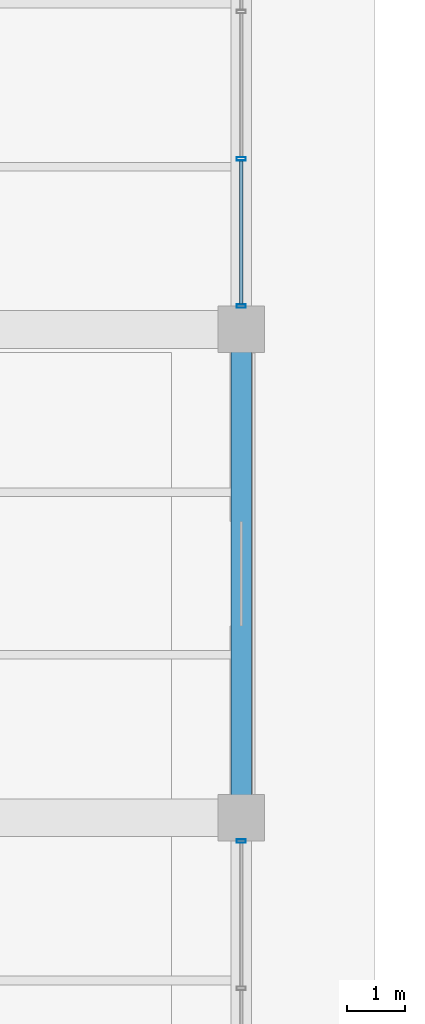
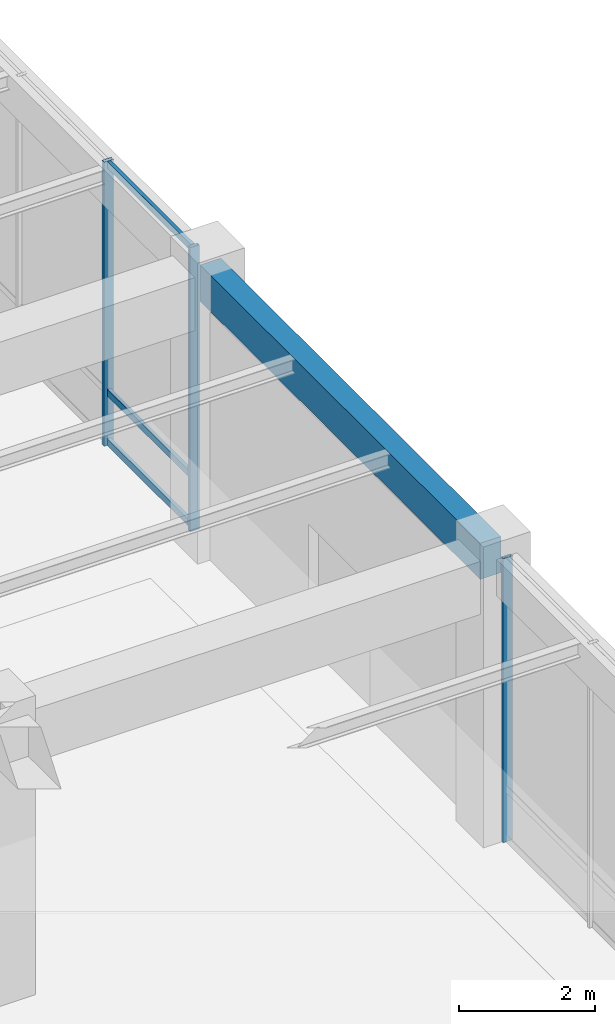
# One storey, part 89 of 157: 6 members, 1 beam, 2 elements without a shape of their own.
"""IFC4 building model written with IfcOpenShell, lengths in metres."""

import ifcopenshell
import ifcopenshell.guid

model = None  # the IFC model being written
_history = None  # IfcOwnerHistory: only IFC2X3 demands one
_inside = {}  # id of a spatial element -> (the spatial element, [elements in it])
_under = {}  # id of a project, library or spatial element -> (it, [spatial elements below it])
_declared = {}  # id of a project -> (the project, [libraries it declares])
_typed = {}  # id of a type object -> (the type object, [elements of that type])
_made_of = {}  # id of a material, layer set ... -> (it, [elements and type objects made of it])


def new_model(schema):
    """Start an empty IFC model of exactly this schema.

    Asked for "IFC4X3", IfcOpenShell would pick the latest addendum, in which some entities
    have other attributes; the version numbers below select the first issue.
    IFC2X3 requires an IfcOwnerHistory on every rooted entity: one is made here for all.
    """
    global model, _history
    if schema == "IFC4X3":
        model = ifcopenshell.file(schema_version=(4, 3, 0, 0))
    else:
        model = ifcopenshell.file(schema=schema)
    _inside.clear()
    _under.clear()
    _declared.clear()
    _typed.clear()
    _made_of.clear()
    _history = None
    if model.schema == "IFC2X3":
        org = make("IfcOrganization", Name="unknown")
        user = make(
            "IfcPersonAndOrganization",
            ThePerson=make("IfcPerson", FamilyName="unknown"),
            TheOrganization=org,
        )
        app = make(
            "IfcApplication",
            ApplicationDeveloper=org,
            Version="unknown",
            ApplicationFullName="unknown",
            ApplicationIdentifier="unknown",
        )
        _history = make(
            "IfcOwnerHistory",
            OwningUser=user,
            OwningApplication=app,
            ChangeAction="ADDED",
            CreationDate=0,
        )
    return model


def make(cls, **values):
    """One entity of the class cls with the attributes given. An attribute that is None is left unset."""
    return model.create_entity(
        cls, **{name: value for name, value in values.items() if value is not None}
    )


def rooted(cls, **values):
    """An entity with a GlobalId (a new one), such as an element, a storey or a relation."""
    return make(cls, GlobalId=ifcopenshell.guid.new(), OwnerHistory=_history, **values)


def si_unit(unit_type, name, prefix=None):
    """IfcSIUnit, for example si_unit("LENGTHUNIT", "METRE", prefix="MILLI")."""
    return make("IfcSIUnit", UnitType=unit_type, Prefix=prefix, Name=name)


def assignment(units):
    """IfcUnitAssignment: the units of a project."""
    return None if units is None else make("IfcUnitAssignment", Units=units)


def point(xyz):
    """IfcCartesianPoint."""
    return None if xyz is None else make("IfcCartesianPoint", Coordinates=xyz)


def direction(xyz):
    """IfcDirection."""
    return None if xyz is None else make("IfcDirection", DirectionRatios=xyz)


def frame(location, z_axis=None, x_axis=None):
    """IfcAxis2Placement3D, a coordinate frame: its origin and axes. An axis left out is left unset."""
    return make(
        "IfcAxis2Placement3D",
        Location=point(location),
        Axis=direction(z_axis),
        RefDirection=direction(x_axis),
    )


def frame_2d(location, x_axis=None):
    """IfcAxis2Placement2D, a coordinate frame in the plane: its origin and x axis."""
    return make(
        "IfcAxis2Placement2D", Location=point(location), RefDirection=direction(x_axis)
    )


def origin():
    """The frame at (0, 0, 0) with its axes left unset."""
    return frame((0.0, 0.0, 0.0))


def origin_2d():
    """The frame at (0, 0) in the plane with its x axis left unset."""
    return frame_2d((0.0, 0.0))


def place(relative_to, where):
    """IfcLocalPlacement: puts the frame where relative to a parent placement (None: the world)."""
    return make(
        "IfcLocalPlacement", PlacementRelTo=relative_to, RelativePlacement=where
    )


def context(
    kind, dimensions, precision=None, world=None, true_north=None, identifier=None
):
    """IfcGeometricRepresentationContext, for example the 3D "Model" context."""
    return make(
        "IfcGeometricRepresentationContext",
        ContextIdentifier=identifier,
        ContextType=kind,
        CoordinateSpaceDimension=dimensions,
        Precision=precision,
        WorldCoordinateSystem=world,
        TrueNorth=true_north,
    )


def subcontext(parent, identifier, kind, view, scale=None):
    """IfcGeometricRepresentationSubContext, for example "Body" below "Model"."""
    return make(
        "IfcGeometricRepresentationSubContext",
        ContextIdentifier=identifier,
        ContextType=kind,
        ParentContext=parent,
        TargetScale=scale,
        TargetView=view,
    )


def project(units=None, contexts=None):
    """IfcProject with its units and contexts."""
    return rooted(
        "IfcProject",
        Name="project",
        RepresentationContexts=contexts,
        UnitsInContext=assignment(units),
    )


def spatial(cls, under=None, at=None, **own):
    """A site, building, storey or space (cls), placed at a placement, below another one or the project."""
    s = rooted(cls, ObjectPlacement=at, **own)
    if under is not None:
        _under.setdefault(under.id(), (under, []))[1].append(s)
    return s


def profile(cls, at=None, kind="AREA", **sizes):
    """A parametric profile (cls). Its sizes go by their IFC names, for example OverallWidth=200.0."""
    return make(cls, ProfileType=kind, Position=at, **sizes)


def rectangle(**sizes):
    """IfcRectangleProfileDef."""
    return profile("IfcRectangleProfileDef", **sizes)


def hollow_rectangle(**sizes):
    """IfcRectangleHollowProfileDef."""
    return profile("IfcRectangleHollowProfileDef", **sizes)


def extrude(swept, where, along, depth):
    """IfcExtrudedAreaSolid: the profile swept, set in the frame where, extruded along a direction by depth."""
    return make(
        "IfcExtrudedAreaSolid",
        SweptArea=swept,
        Position=where,
        ExtrudedDirection=direction(along),
        Depth=depth,
    )


def shape(context_of_items, identifier, shape_type, items):
    """IfcShapeRepresentation: the items that make up one representation, for example the "Body"."""
    return make(
        "IfcShapeRepresentation",
        ContextOfItems=context_of_items,
        RepresentationIdentifier=identifier,
        RepresentationType=shape_type,
        Items=items,
    )


def material(Name=None, Category=None):
    """IfcMaterial."""
    return make("IfcMaterial", Name=Name, Category=Category)


def material_profile(
    of_material, cross_section, Name=None, Category=None, Priority=None
):
    """IfcMaterialProfile: a cross section and its material."""
    return make(
        "IfcMaterialProfile",
        Name=Name,
        Material=of_material,
        Profile=cross_section,
        Priority=Priority,
        Category=Category,
    )


def profile_set(profiles, Name=None, composite=None):
    """IfcMaterialProfileSet."""
    return make(
        "IfcMaterialProfileSet",
        Name=Name,
        MaterialProfiles=profiles,
        CompositeProfile=composite,
    )


def made_of(thing, what):
    """Note that an element or type object is made of a material, layer set ...; save() writes the relation."""
    if what is not None:
        _made_of.setdefault(what.id(), (what, []))[1].append(thing)
    return thing


def type_object(cls, material=None, **own):
    """A type object (cls), such as IfcWallType, which elements share."""
    return made_of(rooted(cls, **own), material)


def element(
    cls,
    number,
    at=None,
    inside=None,
    cuts=None,
    type_object=None,
    material=None,
    context=None,
    identifier="Body",
    shape_type=None,
    held_by="IfcProductDefinitionShape",
    body=None,
    shapes=None,
    **own,
):
    """One element of the class cls, such as IfcWall. Its Tag is "e" and its number.

    at: its placement. inside: the storey or other place that contains it. cuts: it is an
    opening in that element (IfcRelVoidsElement). A single representation is given by context,
    identifier, shape_type and body (its items); several are given by shapes. held_by: the class
    of the entity that holds the representations. save() writes the other relations.
    """
    e = rooted(cls, Tag="e%d" % number, ObjectPlacement=at, **own)
    if body is not None:
        shapes = [shape(context, identifier, shape_type, body)]
    if shapes is not None:
        e.Representation = make(held_by, Representations=shapes)
    if inside is not None:
        _inside.setdefault(inside.id(), (inside, []))[1].append(e)
    if cuts is not None:
        rooted(
            "IfcRelVoidsElement", RelatingBuildingElement=cuts, RelatedOpeningElement=e
        )
    if type_object is not None:
        _typed.setdefault(type_object.id(), (type_object, []))[1].append(e)
    return made_of(e, material)


def aggregate(whole, parts):
    """IfcRelAggregates: a whole, such as a stair, and the parts it consists of."""
    return rooted("IfcRelAggregates", RelatingObject=whole, RelatedObjects=parts)


def save(model, path):
    """Write the relations noted so far, then the file.

    IfcRelAggregates (storeys below a building ...), IfcRelContainedInSpatialStructure (elements
    in a storey), IfcRelDefinesByType, IfcRelAssociatesMaterial and IfcRelDeclares: one each for
    every whole, place, type object, material and project.
    """
    for whole, parts in _under.values():
        aggregate(whole, parts)
    for where, things in _inside.values():
        rooted(
            "IfcRelContainedInSpatialStructure",
            RelatedElements=things,
            RelatingStructure=where,
        )
    for kind, things in _typed.values():
        rooted("IfcRelDefinesByType", RelatedObjects=things, RelatingType=kind)
    for what, things in _made_of.values():
        rooted("IfcRelAssociatesMaterial", RelatedObjects=things, RelatingMaterial=what)
    for by, libraries in _declared.values():
        rooted("IfcRelDeclares", RelatingContext=by, RelatedDefinitions=libraries)
    model.write(path)


model = new_model("IFC4")

# Units and contexts
model_context = context("Model", 3, precision=1e-05, world=origin(), true_north=direction((0.0, 1.0)))
body_context = subcontext(model_context, "Body", "Model", "MODEL_VIEW")
ifc_project = project(units=[si_unit("LENGTHUNIT", "METRE"), si_unit("AREAUNIT", "SQUARE_METRE"), si_unit("VOLUMEUNIT", "CUBIC_METRE"), si_unit("PLANEANGLEUNIT", "RADIAN"), si_unit("MASSUNIT", "GRAM", prefix="KILO"), si_unit("THERMODYNAMICTEMPERATUREUNIT", "KELVIN"), si_unit("POWERUNIT", "WATT")], contexts=[model_context])

# Site, building, storey
site_placement = place(None, origin())
site = spatial("IfcSite", under=ifc_project, at=site_placement, CompositionType="ELEMENT")
building_placement = place(site_placement, origin())
building = spatial("IfcBuilding", under=site, at=building_placement, Name="Darbajah Civic Hall", CompositionType="ELEMENT")
storey_placement = place(building_placement, origin())
storey = spatial("IfcBuildingStorey", under=building, at=storey_placement, Name="L00", CompositionType="ELEMENT", Elevation=0.0)

# Curtain wall, member
ifc_material_1 = material(Name="Anodised Bronze Aluminium and Low-E Glazing", Category="aluminium")
curtain_wall_type = type_object("IfcCurtainWallType", Name="Unitised Curtain Wall CW-17 7600x5100", PredefinedType="USERDEFINED", material=ifc_material_1)
curtain_wall_1_placement = place(storey_placement, origin())
curtain_wall_1 = element("IfcCurtainWall", 1, at=curtain_wall_1_placement, inside=storey, type_object=curtain_wall_type, Name="L00 unitised curtain wall CW-V3-L00-S1-B1", ObjectType="UNITISED CURTAIN WALL", PredefinedType="USERDEFINED")
ifc_material_2 = material(Name="Anodised Bronze Aluminium", Category="aluminium")
ifc_material_profile_1 = material_profile(ifc_material_2, hollow_rectangle(XDim=0.06005859375, YDim=0.159912109375, WallThickness=0.00341796875, at=origin_2d()), Name="ALU MULLION 60x160")
ifc_profile_set_1 = profile_set([ifc_material_profile_1], Name="Anodised Bronze Aluminium")
member_type_1 = type_object("IfcMemberType", Name="ALU MULLION 60x160", PredefinedType="MULLION", material=ifc_profile_set_1)
member_1_placement = place(storey_placement, frame((178.199951171875, 16.39794921875, 0.0), z_axis=(0.0, 0.0, 1.0), x_axis=(0.0, 1.0, 0.0)))
member_1 = element("IfcMember", 2, at=member_1_placement, type_object=member_type_1, Name="CW-V3-L00-S1-B1 mullion 4", PredefinedType="MULLION", context=body_context, shape_type="SweptSolid", body=[
    extrude(hollow_rectangle(XDim=0.06005859375, YDim=0.159912109375, WallThickness=0.00341796875, at=origin_2d()), origin(), (0.0, 0.0, 1.0), 5.10009765625),
])
aggregate(curtain_wall_1, [member_1])

# Curtain wall, members
curtain_wall_2_placement = place(storey_placement, origin())
curtain_wall_2 = element("IfcCurtainWall", 3, at=curtain_wall_2_placement, inside=storey, type_object=curtain_wall_type, Name="L00 unitised curtain wall CW-V3-L00-S1-B3", ObjectType="UNITISED CURTAIN WALL", PredefinedType="USERDEFINED")
member_2_placement = place(storey_placement, frame((178.199951171875, 25.60205078125, 0.0), z_axis=(0.0, 0.0, 1.0), x_axis=(0.0, 1.0, 0.0)))
member_2 = element("IfcMember", 4, at=member_2_placement, type_object=member_type_1, Name="CW-V3-L00-S1-B3 mullion 1", PredefinedType="MULLION", context=body_context, shape_type="SweptSolid", body=[
    extrude(hollow_rectangle(XDim=0.06005859375, YDim=0.159912109375, WallThickness=0.00341796875, at=origin_2d()), origin(), (0.0, 0.0, 1.0), 5.10009765625),
])
member_3_placement = place(storey_placement, frame((178.199951171875, 28.134033203125, 0.0), z_axis=(0.0, 0.0, 1.0), x_axis=(0.0, 1.0, 0.0)))
member_3 = element("IfcMember", 5, at=member_3_placement, type_object=member_type_1, Name="CW-V3-L00-S1-B3 mullion 2", PredefinedType="MULLION", context=body_context, shape_type="SweptSolid", body=[
    extrude(hollow_rectangle(XDim=0.06005859375, YDim=0.159912109375, WallThickness=0.00341796875, at=origin_2d()), origin(), (0.0, 0.0, 1.0), 5.10009765625),
])
ifc_material_profile_2 = material_profile(ifc_material_2, hollow_rectangle(XDim=0.06005859375, YDim=0.1201171875, WallThickness=0.003173828125, at=origin_2d()), Name="ALU TRANSOM 60x120")
ifc_profile_set_2 = profile_set([ifc_material_profile_2], Name="Anodised Bronze Aluminium")
member_type_2 = type_object("IfcMemberType", Name="ALU TRANSOM 60x120", PredefinedType="USERDEFINED", material=ifc_profile_set_2)
member_4_placement = place(storey_placement, frame((178.199951171875, 25.636962890625, 0.06005859375), z_axis=(0.0, 1.0, 0.0), x_axis=(-1.0, 0.0, 0.0)))
member_4 = element("IfcMember", 6, at=member_4_placement, type_object=member_type_2, Name="CW-V3-L00-S1-B3 transom 1.1", ObjectType="TRANSOM", PredefinedType="USERDEFINED", context=body_context, shape_type="SweptSolid", body=[
    extrude(hollow_rectangle(XDim=0.06005859375, YDim=0.1201171875, WallThickness=0.003173828125, at=origin_2d()), origin(), (0.0, 0.0, 1.0), 2.462158203125),
])
member_5_placement = place(storey_placement, frame((178.199951171875, 25.636962890625, 0.949951171875), z_axis=(0.0, 1.0, 0.0), x_axis=(-1.0, 0.0, 0.0)))
member_5 = element("IfcMember", 7, at=member_5_placement, type_object=member_type_2, Name="CW-V3-L00-S1-B3 transom 1.2", ObjectType="TRANSOM", PredefinedType="USERDEFINED", context=body_context, shape_type="SweptSolid", body=[
    extrude(hollow_rectangle(XDim=0.06005859375, YDim=0.1201171875, WallThickness=0.003173828125, at=origin_2d()), origin(), (0.0, 0.0, 1.0), 2.462158203125),
])
member_6_placement = place(storey_placement, frame((178.199951171875, 25.636962890625, 5.0400390625), z_axis=(0.0, 1.0, 0.0), x_axis=(-1.0, 0.0, 0.0)))
member_6 = element("IfcMember", 8, at=member_6_placement, type_object=member_type_2, Name="CW-V3-L00-S1-B3 transom 1.3", ObjectType="TRANSOM", PredefinedType="USERDEFINED", context=body_context, shape_type="SweptSolid", body=[
    extrude(hollow_rectangle(XDim=0.06005859375, YDim=0.1201171875, WallThickness=0.003173828125, at=origin_2d()), origin(), (0.0, 0.0, 1.0), 2.462158203125),
])
aggregate(curtain_wall_2, [member_2, member_3, member_4, member_5, member_6])

# Beam
ifc_material_3 = material(Name="Concrete C45/55", Category="concrete")
ifc_material_profile_3 = material_profile(ifc_material_3, rectangle(XDim=0.35009765625, YDim=0.64990234375, at=origin_2d()), Name="RC SPANDREL 350x650")
ifc_profile_set_3 = profile_set([ifc_material_profile_3], Name="Concrete C45/55")
beam_type = type_object("IfcBeamType", Name="RC SPANDREL 350x650", PredefinedType="SPANDREL", material=ifc_profile_set_3)
beam_placement = place(storey_placement, frame((178.199951171875, 16.8798828125, 4.77490234375), z_axis=(0.0, 1.0, 0.0), x_axis=(-1.0, 0.0, 0.0)))
element("IfcBeam", 9, at=beam_placement, inside=storey, type_object=beam_type, Name="L00 beam SP-3565", PredefinedType="SPANDREL", context=body_context, shape_type="SweptSolid", body=[
    extrude(rectangle(XDim=0.35009765625, YDim=0.64990234375, at=origin_2d()), origin(), (0.0, 0.0, 1.0), 8.240234375),
])

save(model, "model.ifc")
